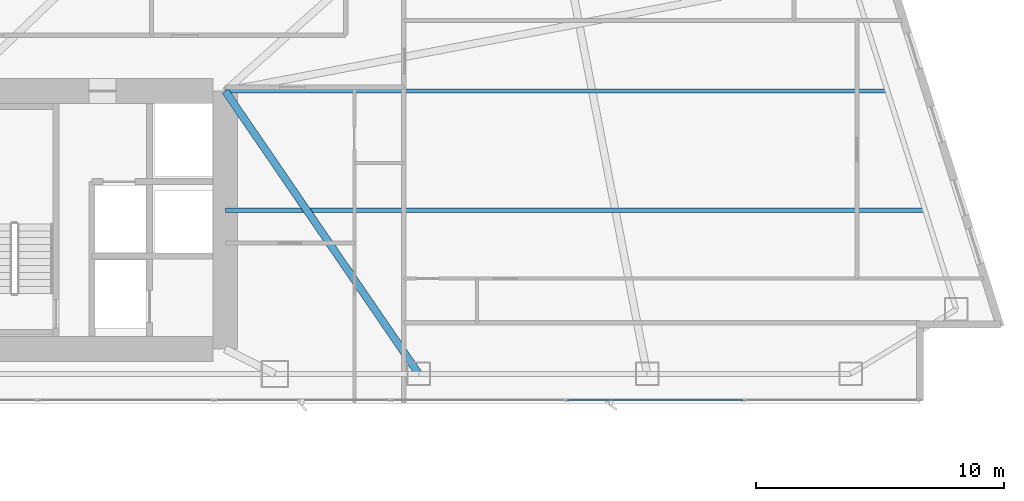
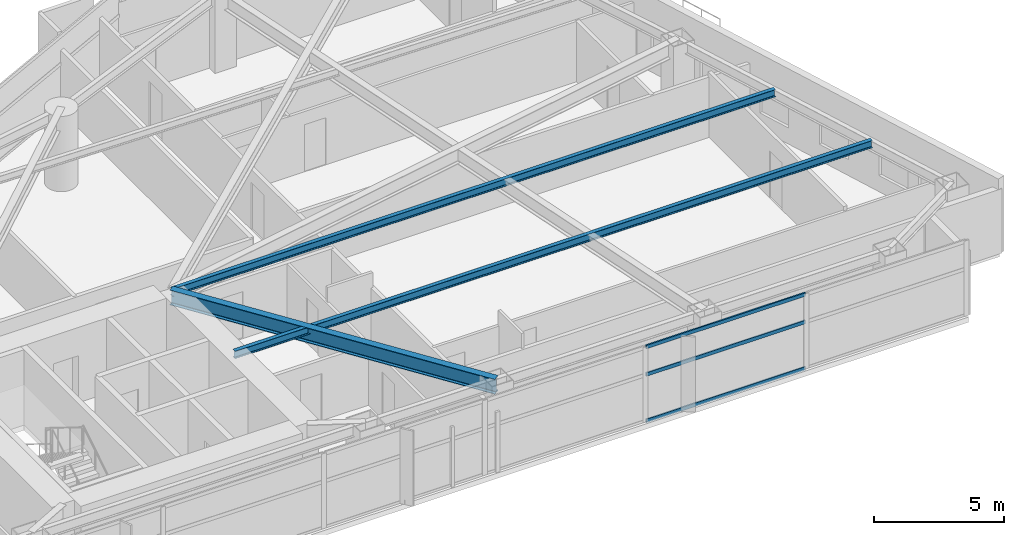
# One storey, part 12 of 28: 3 beams, 3 members, 1 element without a shape of its own.
"""IFC4 building model written with IfcOpenShell, lengths in metres."""

from ifc_helpers import new_model, si_unit, direction, frame, origin, origin_2d, place, context, subcontext, project, spatial, hollow_rectangle, i_section, extrude, material, layer, layer_set, material_profile, profile_set, type_object, element, aggregate, save


model = new_model("IFC4")

# Units and contexts
model_context = context("Model", 3, precision=1e-05, world=origin(), true_north=direction((0.0, 1.0)))
body_context = subcontext(model_context, "Body", "Model", "MODEL_VIEW")
ifc_project = project(units=[si_unit("LENGTHUNIT", "METRE"), si_unit("AREAUNIT", "SQUARE_METRE"), si_unit("VOLUMEUNIT", "CUBIC_METRE"), si_unit("PLANEANGLEUNIT", "RADIAN"), si_unit("MASSUNIT", "GRAM", prefix="KILO")], contexts=[model_context])

# Site, building, storey
site_placement = place(None, origin())
site = spatial("IfcSite", under=ifc_project, at=site_placement, CompositionType="ELEMENT")
building_placement = place(site_placement, origin())
building = spatial("IfcBuilding", under=site, at=building_placement, Name="Calvorn Quay Hotel", CompositionType="ELEMENT")
storey_placement = place(building_placement, frame((0.0, 0.0, 42.199951171875)))
storey = spatial("IfcBuildingStorey", under=building, at=storey_placement, Name="L09", CompositionType="ELEMENT", Elevation=42.199951171875)

# Beams
ifc_material_1 = material(Name="Steel Q390GJC", Category="steel")
ifc_material_profile_1 = material_profile(ifc_material_1, i_section(OverallWidth=0.300048828125, OverallDepth=0.699951171875, WebThickness=0.012939453125, FlangeThickness=0.02392578125, FilletRadius=0.02392578125, at=origin_2d()), Name="HN700x300x13x24")
ifc_profile_set_1 = profile_set([ifc_material_profile_1], Name="Steel Q390GJC")
beam_type_1 = type_object("IfcBeamType", Name="BM-GIRD-MAIN", PredefinedType="BEAM", material=ifc_profile_set_1)
beam_1_placement = place(storey_placement, frame((40.199951171875, 3.60009765625, 3.170166015625), z_axis=(-0.564689618177, 0.825303359452, 0.0), x_axis=(-0.825303359452, -0.564689618177, 0.0)))
element("IfcBeam", 1, at=beam_1_placement, inside=storey, type_object=beam_type_1, Name="Beam BG-L09-E6", PredefinedType="BEAM", context=body_context, shape_type="SweptSolid", body=[
    extrude(i_section(OverallWidth=0.300048828125, OverallDepth=0.699951171875, WebThickness=0.012939453125, FlangeThickness=0.02392578125, FilletRadius=0.02392578125, at=origin_2d()), origin(), (0.0, 0.0, 1.0), 13.81298828125),
])
ifc_material_2 = material(Name="Steel Q355B", Category="steel")
ifc_material_profile_2 = material_profile(ifc_material_2, i_section(OverallWidth=0.175048828125, OverallDepth=0.35009765625, WebThickness=0.007080078125, FlangeThickness=0.010986328125, FilletRadius=0.013916015625, at=origin_2d()), Name="HN350x175x7x11")
ifc_profile_set_2 = profile_set([ifc_material_profile_2], Name="Steel Q355B")
beam_type_2 = type_object("IfcBeamType", Name="BM-JOIST-SEC", PredefinedType="JOIST", material=ifc_profile_set_2)
beam_2_placement = place(storey_placement, frame((32.39990234375, 10.199951171875, 3.344970703125), z_axis=(1.0, 0.0, 0.0), x_axis=(0.0, 1.0, 0.0)))
element("IfcBeam", 2, at=beam_2_placement, inside=storey, type_object=beam_type_2, Name="Beam BJ-L09-E1", PredefinedType="JOIST", context=body_context, shape_type="SweptSolid", body=[
    extrude(i_section(OverallWidth=0.175048828125, OverallDepth=0.35009765625, WebThickness=0.007080078125, FlangeThickness=0.010986328125, FilletRadius=0.013916015625, at=origin_2d()), origin(), (0.0, 0.0, 1.0), 28.201171875),
])
beam_3_placement = place(storey_placement, frame((32.39990234375, 15.0, 3.344970703125), z_axis=(1.0, 0.0, 0.0), x_axis=(0.0, 1.0, 0.0)))
element("IfcBeam", 3, at=beam_3_placement, inside=storey, type_object=beam_type_2, Name="Beam BJ-L09-E2", PredefinedType="JOIST", context=body_context, shape_type="SweptSolid", body=[
    extrude(i_section(OverallWidth=0.175048828125, OverallDepth=0.35009765625, WebThickness=0.007080078125, FlangeThickness=0.010986328125, FilletRadius=0.013916015625, at=origin_2d()), origin(), (0.0, 0.0, 1.0), 26.68798828125),
])

# Curtain wall, members
ifc_material_3 = material(Name="Pale Anodised Aluminium and Low-E Glass", Category="aluminium")
ifc_layer = layer(ifc_material_3, 0.219970703125)
ifc_layer_set = layer_set([ifc_layer], Name="CW-SYS-Z1")
curtain_wall_type = type_object("IfcCurtainWallType", Name="CW-SYS-Z1", PredefinedType="NOTDEFINED", material=ifc_layer_set)
curtain_wall_placement = place(storey_placement, origin())
curtain_wall = element("IfcCurtainWall", 4, at=curtain_wall_placement, inside=storey, type_object=curtain_wall_type, Name="Tower South Waterfront Curtain Wall (L09)", PredefinedType="NOTDEFINED")
ifc_material_4 = material(Name="Pale Anodised Aluminium 6063-T6", Category="aluminium")
ifc_material_profile_3 = material_profile(ifc_material_4, hollow_rectangle(XDim=0.06494140625, YDim=0.1650390625, WallThickness=0.00341796875, at=origin_2d()), Name="ALU-T165x65x3.5")
ifc_profile_set_3 = profile_set([ifc_material_profile_3], Name="Pale Anodised Aluminium 6063-T6")
member_type = type_object("IfcMemberType", Name="CW-SYS-Z1-TRN", PredefinedType="USERDEFINED", material=ifc_profile_set_3)
member_1_placement = place(storey_placement, frame((46.201416015625, 2.550048828125, 0.030029296875), z_axis=(1.0, 0.0, 0.0), x_axis=(0.0, 1.0, 0.0)))
member_1 = element("IfcMember", 5, at=member_1_placement, type_object=member_type, Name="CW-L09-S transom 6.1", ObjectType="TRANSOM", PredefinedType="USERDEFINED", context=body_context, shape_type="SweptSolid", body=[
    extrude(hollow_rectangle(XDim=0.06494140625, YDim=0.1650390625, WallThickness=0.00341796875, at=origin_2d()), origin(), (0.0, 0.0, 1.0), 7.05419921875),
])
member_2_placement = place(storey_placement, frame((46.201416015625, 2.550048828125, 2.199951171875), z_axis=(1.0, 0.0, 0.0), x_axis=(0.0, 1.0, 0.0)))
member_2 = element("IfcMember", 6, at=member_2_placement, type_object=member_type, Name="CW-L09-S transom 6.2", ObjectType="TRANSOM", PredefinedType="USERDEFINED", context=body_context, shape_type="SweptSolid", body=[
    extrude(hollow_rectangle(XDim=0.06494140625, YDim=0.1650390625, WallThickness=0.00341796875, at=origin_2d()), origin(), (0.0, 0.0, 1.0), 7.05419921875),
])
member_3_placement = place(storey_placement, frame((46.201416015625, 2.550048828125, 3.489990234375), z_axis=(1.0, 0.0, 0.0), x_axis=(0.0, 1.0, 0.0)))
member_3 = element("IfcMember", 7, at=member_3_placement, type_object=member_type, Name="CW-L09-S transom 6.3", ObjectType="TRANSOM", PredefinedType="USERDEFINED", context=body_context, shape_type="SweptSolid", body=[
    extrude(hollow_rectangle(XDim=0.06494140625, YDim=0.1650390625, WallThickness=0.00341796875, at=origin_2d()), origin(), (0.0, 0.0, 1.0), 7.05419921875),
])
aggregate(curtain_wall, [member_1, member_2, member_3])

save(model, "model.ifc")
